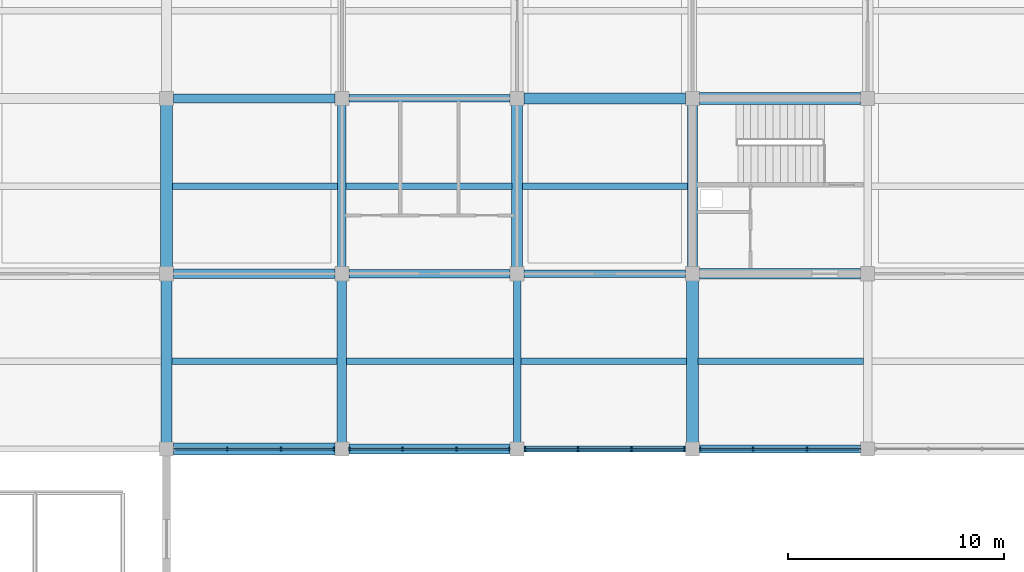
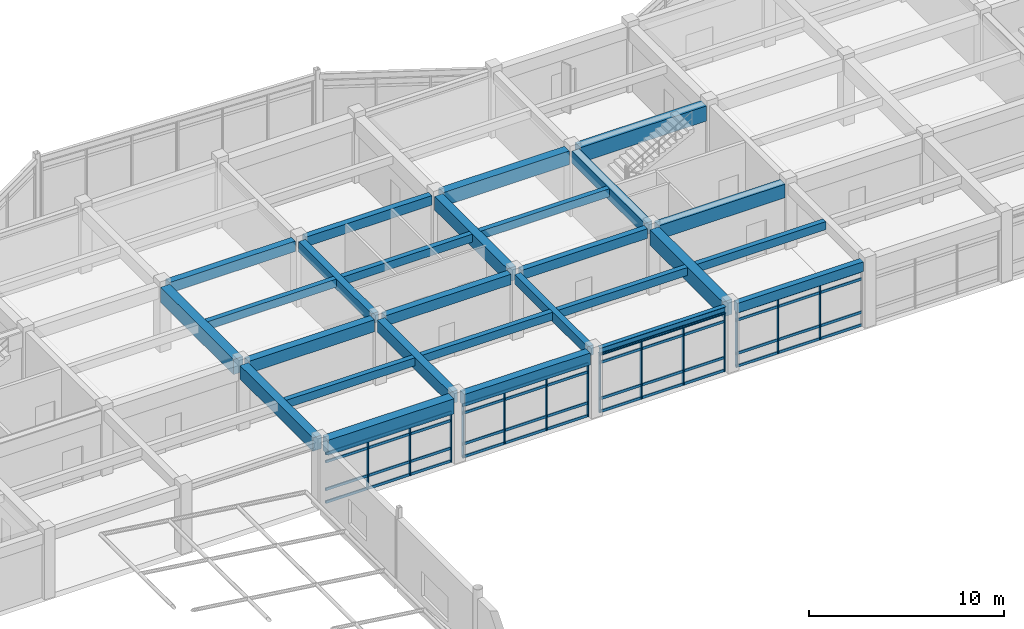
# One storey, part 32 of 89: 30 members, 27 beams, 4 elements without a shape of their own.
"""IFC4 building model written with IfcOpenShell, lengths in metres."""

from ifc_helpers import new_model, si_unit, direction, frame, origin, origin_2d, place, context, subcontext, project, spatial, rectangle, i_section, extrude, material, layer, layer_set, material_profile, profile_set, type_object, element, aggregate, save


model = new_model("IFC4")

# Units and contexts
model_context = context("Model", 3, precision=1e-05, world=origin(), true_north=direction((0.0, 1.0)))
body_context = subcontext(model_context, "Body", "Model", "MODEL_VIEW")
ifc_project = project(units=[si_unit("LENGTHUNIT", "METRE"), si_unit("AREAUNIT", "SQUARE_METRE"), si_unit("VOLUMEUNIT", "CUBIC_METRE"), si_unit("PLANEANGLEUNIT", "RADIAN"), si_unit("MASSUNIT", "GRAM", prefix="KILO")], contexts=[model_context])

# Site, building, storey
site_placement = place(None, origin())
site = spatial("IfcSite", under=ifc_project, at=site_placement, CompositionType="ELEMENT")
building_placement = place(site_placement, origin())
building = spatial("IfcBuilding", under=site, at=building_placement, Name="Vaudrelin Polytechnic", CompositionType="ELEMENT")
storey_placement = place(building_placement, frame((0.0, 0.0, 9.68994140625)))
storey = spatial("IfcBuildingStorey", under=building, at=storey_placement, Name="L02", CompositionType="ELEMENT", Elevation=9.68994140625)

# Beams
ifc_material_1 = material(Name="Concrete 40 MPa", Category="concrete")
ifc_material_profile_1 = material_profile(ifc_material_1, rectangle(XDim=0.35009765625, YDim=0.60009765625, at=origin_2d()), Name="RC350x600")
ifc_profile_set_1 = profile_set([ifc_material_profile_1], Name="Concrete 40 MPa")
beam_type_1 = type_object("IfcBeamType", Name="BM-BM-RC3560", PredefinedType="BEAM", material=ifc_profile_set_1)
beam_1_placement = place(storey_placement, frame((48.60009765625, 97.510009765625, 3.780029296875), z_axis=(0.0, 1.0, 0.0), x_axis=(-1.0, 0.0, 0.0)))
element("IfcBeam", 1, at=beam_1_placement, inside=storey, type_object=beam_type_1, Name="L02 Y-beam 7-13", PredefinedType="BEAM", context=body_context, shape_type="SweptSolid", body=[
    extrude(rectangle(XDim=0.35009765625, YDim=0.60009765625, at=origin_2d()), origin(), (0.0, 0.0, 1.0), 7.47998046875),
])
for number, where, z_axis, x_axis, name in (
    (2, (40.821044921875, 113.39990234375, 3.780029296875), (1.0, 0.0, 0.0), (0.0, 1.0, 0.0), "L02 X-beam 6-15"),
    (3, (48.9208984375, 105.300048828125, 3.780029296875), (1.0, 0.0, 0.0), (0.0, 1.0, 0.0), "L02 X-beam 7-14"),
    (4, (57.02099609375, 97.199951171875, 3.780029296875), (1.0, 0.0, 0.0), (0.0, 1.0, 0.0), "L02 X-beam 8-13"),
):
    element("IfcBeam", number, at=place(storey_placement, frame(where, z_axis=z_axis, x_axis=x_axis)), inside=storey, type_object=beam_type_1, Name=name, PredefinedType="BEAM", context=body_context, shape_type="SweptSolid", body=[
        extrude(rectangle(XDim=0.35009765625, YDim=0.60009765625, at=origin_2d()), origin(), (0.0, 0.0, 1.0), 7.4580078125),
    ])
ifc_material_profile_2 = material_profile(ifc_material_1, rectangle(XDim=0.39990234375, YDim=0.64990234375, at=origin_2d()), Name="RC400x650")
ifc_profile_set_2 = profile_set([ifc_material_profile_2], Name="Concrete 40 MPa")
beam_type_2 = type_object("IfcBeamType", Name="BM-BM-RC4065", PredefinedType="BEAM", material=ifc_profile_set_2)
beam_2_placement = place(storey_placement, frame((40.5, 105.610107421875, 3.755126953125), z_axis=(0.0, 1.0, 0.0), x_axis=(-1.0, 0.0, 0.0)))
element("IfcBeam", 5, at=beam_2_placement, inside=storey, type_object=beam_type_2, Name="L02 Y-beam 6-14", PredefinedType="BEAM", context=body_context, shape_type="SweptSolid", body=[
    extrude(rectangle(XDim=0.39990234375, YDim=0.64990234375, at=origin_2d()), origin(), (0.0, 0.0, 1.0), 7.47998046875),
])
for number, where, z_axis, x_axis, name in (
    (6, (32.720947265625, 113.39990234375, 3.755126953125), (1.0, 0.0, 0.0), (0.0, 1.0, 0.0), "L02 X-beam 5-15"),
    (7, (40.821044921875, 105.300048828125, 3.755126953125), (1.0, 0.0, 0.0), (0.0, 1.0, 0.0), "L02 X-beam 6-14"),
):
    element("IfcBeam", number, at=place(storey_placement, frame(where, z_axis=z_axis, x_axis=x_axis)), inside=storey, type_object=beam_type_2, Name=name, PredefinedType="BEAM", context=body_context, shape_type="SweptSolid", body=[
        extrude(rectangle(XDim=0.39990234375, YDim=0.64990234375, at=origin_2d()), origin(), (0.0, 0.0, 1.0), 7.4580078125),
    ])
ifc_material_profile_3 = material_profile(ifc_material_1, rectangle(XDim=0.449951171875, YDim=0.75, at=origin_2d()), Name="RC450x750")
ifc_profile_set_3 = profile_set([ifc_material_profile_3], Name="Concrete 40 MPa")
beam_type_3 = type_object("IfcBeamType", Name="BM-BM-RC4575", PredefinedType="BEAM", material=ifc_profile_set_3)
for number, where, z_axis, x_axis, name in (
    (8, (40.5, 97.510009765625, 3.705078125), (0.0, 1.0, 0.0), (-1.0, 0.0, 0.0), "L02 Y-beam 6-13"),
    (9, (56.699951171875, 105.610107421875, 3.705078125), (0.0, 1.0, 0.0), (-1.0, 0.0, 0.0), "L02 Y-beam 8-14"),
):
    element("IfcBeam", number, at=place(storey_placement, frame(where, z_axis=z_axis, x_axis=x_axis)), inside=storey, type_object=beam_type_3, Name=name, PredefinedType="BEAM", context=body_context, shape_type="SweptSolid", body=[
        extrude(rectangle(XDim=0.449951171875, YDim=0.75, at=origin_2d()), origin(), (0.0, 0.0, 1.0), 7.47998046875),
    ])
for number, where, z_axis, x_axis, name in (
    (10, (32.720947265625, 105.300048828125, 3.705078125), (1.0, 0.0, 0.0), (0.0, 1.0, 0.0), "L02 X-beam 5-14"),
    (11, (40.821044921875, 97.199951171875, 3.705078125), (1.0, 0.0, 0.0), (0.0, 1.0, 0.0), "L02 X-beam 6-13"),
):
    element("IfcBeam", number, at=place(storey_placement, frame(where, z_axis=z_axis, x_axis=x_axis)), inside=storey, type_object=beam_type_3, Name=name, PredefinedType="BEAM", context=body_context, shape_type="SweptSolid", body=[
        extrude(rectangle(XDim=0.449951171875, YDim=0.75, at=origin_2d()), origin(), (0.0, 0.0, 1.0), 7.4580078125),
    ])
ifc_material_profile_4 = material_profile(ifc_material_1, rectangle(XDim=0.5, YDim=0.85009765625, at=origin_2d()), Name="RC500x850")
ifc_profile_set_4 = profile_set([ifc_material_profile_4], Name="Concrete 40 MPa")
beam_type_4 = type_object("IfcBeamType", Name="BM-BM-RC5085", PredefinedType="BEAM", material=ifc_profile_set_4)
for number, where, z_axis, x_axis, name in (
    (12, (32.39990234375, 97.510009765625, 3.655029296875), (0.0, 1.0, 0.0), (-1.0, 0.0, 0.0), "L02 Y-beam 5-13"),
    (13, (48.60009765625, 105.610107421875, 3.655029296875), (0.0, 1.0, 0.0), (-1.0, 0.0, 0.0), "L02 Y-beam 7-14"),
):
    element("IfcBeam", number, at=place(storey_placement, frame(where, z_axis=z_axis, x_axis=x_axis)), inside=storey, type_object=beam_type_4, Name=name, PredefinedType="BEAM", context=body_context, shape_type="SweptSolid", body=[
        extrude(rectangle(XDim=0.5, YDim=0.85009765625, at=origin_2d()), origin(), (0.0, 0.0, 1.0), 7.47998046875),
    ])
for number, where, z_axis, x_axis, name in (
    (14, (48.9208984375, 113.39990234375, 3.655029296875), (1.0, 0.0, 0.0), (0.0, 1.0, 0.0), "L02 X-beam 7-15"),
    (15, (57.02099609375, 105.300048828125, 3.655029296875), (1.0, 0.0, 0.0), (0.0, 1.0, 0.0), "L02 X-beam 8-14"),
):
    element("IfcBeam", number, at=place(storey_placement, frame(where, z_axis=z_axis, x_axis=x_axis)), inside=storey, type_object=beam_type_4, Name=name, PredefinedType="BEAM", context=body_context, shape_type="SweptSolid", body=[
        extrude(rectangle(XDim=0.5, YDim=0.85009765625, at=origin_2d()), origin(), (0.0, 0.0, 1.0), 7.4580078125),
    ])
ifc_material_2 = material(Name="Concrete 50 MPa", Category="concrete")
ifc_material_profile_5 = material_profile(ifc_material_2, rectangle(XDim=0.550048828125, YDim=0.949951171875, at=origin_2d()), Name="RC550x950")
ifc_profile_set_5 = profile_set([ifc_material_profile_5], Name="Concrete 50 MPa")
beam_type_5 = type_object("IfcBeamType", Name="BM-BM-RC5595", PredefinedType="BEAM", material=ifc_profile_set_5)
for number, where, z_axis, x_axis, name in (
    (16, (32.39990234375, 105.610107421875, 3.60498046875), (0.0, 1.0, 0.0), (-1.0, 0.0, 0.0), "L02 Y-beam 5-14"),
    (17, (56.699951171875, 97.510009765625, 3.60498046875), (0.0, 1.0, 0.0), (-1.0, 0.0, 0.0), "L02 Y-beam 8-13"),
):
    element("IfcBeam", number, at=place(storey_placement, frame(where, z_axis=z_axis, x_axis=x_axis)), inside=storey, type_object=beam_type_5, Name=name, PredefinedType="BEAM", context=body_context, shape_type="SweptSolid", body=[
        extrude(rectangle(XDim=0.550048828125, YDim=0.949951171875, at=origin_2d()), origin(), (0.0, 0.0, 1.0), 7.47998046875),
    ])
for number, where, z_axis, x_axis, name in (
    (18, (32.720947265625, 97.199951171875, 3.60498046875), (1.0, 0.0, 0.0), (0.0, 1.0, 0.0), "L02 X-beam 5-13"),
    (19, (57.02099609375, 113.39990234375, 3.60498046875), (1.0, 0.0, 0.0), (0.0, 1.0, 0.0), "L02 X-beam 8-15"),
):
    element("IfcBeam", number, at=place(storey_placement, frame(where, z_axis=z_axis, x_axis=x_axis)), inside=storey, type_object=beam_type_5, Name=name, PredefinedType="BEAM", context=body_context, shape_type="SweptSolid", body=[
        extrude(rectangle(XDim=0.550048828125, YDim=0.949951171875, at=origin_2d()), origin(), (0.0, 0.0, 1.0), 7.4580078125),
    ])
ifc_material_3 = material(Name="Steel CSA G40.21 350WT", Category="steel")
ifc_material_profile_6 = material_profile(ifc_material_3, i_section(OverallWidth=0.260009765625, OverallDepth=0.4150390625, WebThickness=0.010009765625, FlangeThickness=0.016845703125, FilletRadius=0.01611328125, at=origin_2d()), Name="W410x100")
ifc_profile_set_6 = profile_set([ifc_material_profile_6], Name="Steel CSA G40.21 350WT")
beam_type_6 = type_object("IfcBeamType", Name="BM-BM-W410H", PredefinedType="SPANDREL", material=ifc_profile_set_6)
beam_3_placement = place(storey_placement, frame((48.9208984375, 97.199951171875, 3.87255859375), z_axis=(1.0, 0.0, 0.0), x_axis=(0.0, 1.0, 0.0)))
element("IfcBeam", 20, at=beam_3_placement, inside=storey, type_object=beam_type_6, Name="L02 X-beam 7-13", PredefinedType="SPANDREL", context=body_context, shape_type="SweptSolid", body=[
    extrude(i_section(OverallWidth=0.260009765625, OverallDepth=0.4150390625, WebThickness=0.010009765625, FlangeThickness=0.016845703125, FilletRadius=0.01611328125, at=origin_2d()), origin(), (0.0, 0.0, 1.0), 7.4580078125),
])
ifc_material_profile_7 = material_profile(ifc_material_1, rectangle(XDim=0.300048828125, YDim=0.5, at=origin_2d()), Name="RC300x500")
ifc_profile_set_7 = profile_set([ifc_material_profile_7], Name="Concrete 40 MPa")
beam_type_7 = type_object("IfcBeamType", Name="BM-JS-RC3050", PredefinedType="JOIST", material=ifc_profile_set_7)
for number, where, z_axis, x_axis, name in (
    (21, (32.64599609375, 101.25, 3.830078125), (1.0, 0.0, 0.0), (0.0, 1.0, 0.0), "L02 floor joist 5-13"),
    (22, (32.6708984375, 109.35009765625, 3.830078125), (1.0, 0.0, 0.0), (0.0, 1.0, 0.0), "L02 floor joist 5-14"),
):
    element("IfcBeam", number, at=place(storey_placement, frame(where, z_axis=z_axis, x_axis=x_axis)), inside=storey, type_object=beam_type_7, Name=name, PredefinedType="JOIST", context=body_context, shape_type="SweptSolid", body=[
        extrude(rectangle(XDim=0.300048828125, YDim=0.5, at=origin_2d()), origin(), (0.0, 0.0, 1.0), 7.633056640625),
    ])
beam_4_placement = place(storey_placement, frame((40.720947265625, 101.25, 3.830078125), z_axis=(1.0, 0.0, 0.0), x_axis=(0.0, 1.0, 0.0)))
element("IfcBeam", 23, at=beam_4_placement, inside=storey, type_object=beam_type_7, Name="L02 floor joist 6-13", PredefinedType="JOIST", context=body_context, shape_type="SweptSolid", body=[
    extrude(rectangle(XDim=0.300048828125, YDim=0.5, at=origin_2d()), origin(), (0.0, 0.0, 1.0), 7.7080078125),
])
for number, where, z_axis, x_axis, name in (
    (24, (40.696044921875, 109.35009765625, 3.830078125), (1.0, 0.0, 0.0), (0.0, 1.0, 0.0), "L02 floor joist 6-14"),
    (25, (48.77099609375, 101.25, 3.830078125), (1.0, 0.0, 0.0), (0.0, 1.0, 0.0), "L02 floor joist 7-13"),
):
    element("IfcBeam", number, at=place(storey_placement, frame(where, z_axis=z_axis, x_axis=x_axis)), inside=storey, type_object=beam_type_7, Name=name, PredefinedType="JOIST", context=body_context, shape_type="SweptSolid", body=[
        extrude(rectangle(XDim=0.300048828125, YDim=0.5, at=origin_2d()), origin(), (0.0, 0.0, 1.0), 7.657958984375),
    ])
for number, where, z_axis, x_axis, name in (
    (26, (48.845947265625, 109.35009765625, 3.830078125), (1.0, 0.0, 0.0), (0.0, 1.0, 0.0), "L02 floor joist 7-14"),
    (27, (56.970947265625, 101.25, 3.830078125), (1.0, 0.0, 0.0), (0.0, 1.0, 0.0), "L02 floor joist 8-13"),
):
    element("IfcBeam", number, at=place(storey_placement, frame(where, z_axis=z_axis, x_axis=x_axis)), inside=storey, type_object=beam_type_7, Name=name, PredefinedType="JOIST", context=body_context, shape_type="SweptSolid", body=[
        extrude(rectangle(XDim=0.300048828125, YDim=0.5, at=origin_2d()), origin(), (0.0, 0.0, 1.0), 7.633056640625),
    ])

# Curtain wall, members
ifc_material_4 = material(Name="Thermally broken anodised aluminium AA 6063-T6 and low-e triple glazing", Category="aluminium")
ifc_layer = layer(ifc_material_4, 0.199951171875)
ifc_layer_set = layer_set([ifc_layer], Name="Thermally broken anodised aluminium AA 6063-T6 and low-e triple glazing")
curtain_wall_type = type_object("IfcCurtainWallType", Name="CW-CW-LIB", PredefinedType="USERDEFINED", material=ifc_layer_set)
curtain_wall_1_placement = place(storey_placement, origin())
curtain_wall_1 = element("IfcCurtainWall", 28, at=curtain_wall_1_placement, inside=storey, type_object=curtain_wall_type, Name="Curtain wall L02 CT_N_00", ObjectType="CURTAIN WALL", PredefinedType="USERDEFINED")
ifc_material_5 = material(Name="Anodised aluminium AA 6063-T6", Category="aluminium")
ifc_material_profile_8 = material_profile(ifc_material_5, rectangle(XDim=0.06494140625, YDim=0.179931640625, at=origin_2d()), Name="CWM-65x180")
ifc_profile_set_8 = profile_set([ifc_material_profile_8], Name="Anodised aluminium AA 6063-T6")
member_type_1 = type_object("IfcMemberType", Name="MEM-CWM-180", PredefinedType="MULLION", material=ifc_profile_set_8)
member_1_placement = place(storey_placement, frame((35.207763671875, 97.199951171875, 0.0), z_axis=(0.0, 0.0, 1.0), x_axis=(1.0, 0.0, 0.0)))
member_1 = element("IfcMember", 29, at=member_1_placement, type_object=member_type_1, Name="CT_N_00 mullion 2", PredefinedType="MULLION", context=body_context, shape_type="SweptSolid", body=[
    extrude(rectangle(XDim=0.06494140625, YDim=0.179931640625, at=origin_2d()), origin(), (0.0, 0.0, 1.0), 3.132080078125),
])
member_2_placement = place(storey_placement, frame((37.6923828125, 97.199951171875, 0.0), z_axis=(0.0, 0.0, 1.0), x_axis=(1.0, 0.0, 0.0)))
member_2 = element("IfcMember", 30, at=member_2_placement, type_object=member_type_1, Name="CT_N_00 mullion 3", PredefinedType="MULLION", context=body_context, shape_type="SweptSolid", body=[
    extrude(rectangle(XDim=0.06494140625, YDim=0.179931640625, at=origin_2d()), origin(), (0.0, 0.0, 1.0), 3.132080078125),
])
member_3_placement = place(storey_placement, frame((40.136962890625, 97.199951171875, 0.0), z_axis=(0.0, 0.0, 1.0), x_axis=(1.0, 0.0, 0.0)))
member_3 = element("IfcMember", 31, at=member_3_placement, type_object=member_type_1, Name="CT_N_00 mullion 4", PredefinedType="MULLION", context=body_context, shape_type="SweptSolid", body=[
    extrude(rectangle(XDim=0.06494140625, YDim=0.179931640625, at=origin_2d()), origin(), (0.0, 0.0, 1.0), 3.132080078125),
])

curtain_wall_2_placement = place(storey_placement, origin())
curtain_wall_2 = element("IfcCurtainWall", 32, at=curtain_wall_2_placement, inside=storey, type_object=curtain_wall_type, Name="Curtain wall L02 CT_N_01", ObjectType="CURTAIN WALL", PredefinedType="USERDEFINED")
member_4_placement = place(storey_placement, frame((40.863037109375, 97.199951171875, 0.0), z_axis=(0.0, 0.0, 1.0), x_axis=(1.0, 0.0, 0.0)))
member_4 = element("IfcMember", 33, at=member_4_placement, type_object=member_type_1, Name="CT_N_01 mullion 1", PredefinedType="MULLION", context=body_context, shape_type="SweptSolid", body=[
    extrude(rectangle(XDim=0.06494140625, YDim=0.179931640625, at=origin_2d()), origin(), (0.0, 0.0, 1.0), 3.33203125),
])
member_5_placement = place(storey_placement, frame((43.3076171875, 97.199951171875, 0.0), z_axis=(0.0, 0.0, 1.0), x_axis=(1.0, 0.0, 0.0)))
member_5 = element("IfcMember", 34, at=member_5_placement, type_object=member_type_1, Name="CT_N_01 mullion 2", PredefinedType="MULLION", context=body_context, shape_type="SweptSolid", body=[
    extrude(rectangle(XDim=0.06494140625, YDim=0.179931640625, at=origin_2d()), origin(), (0.0, 0.0, 1.0), 3.33203125),
])
member_6_placement = place(storey_placement, frame((45.792236328125, 97.199951171875, 0.0), z_axis=(0.0, 0.0, 1.0), x_axis=(1.0, 0.0, 0.0)))
member_6 = element("IfcMember", 35, at=member_6_placement, type_object=member_type_1, Name="CT_N_01 mullion 3", PredefinedType="MULLION", context=body_context, shape_type="SweptSolid", body=[
    extrude(rectangle(XDim=0.06494140625, YDim=0.179931640625, at=origin_2d()), origin(), (0.0, 0.0, 1.0), 3.33203125),
])
member_7_placement = place(storey_placement, frame((48.237060546875, 97.199951171875, 0.0), z_axis=(0.0, 0.0, 1.0), x_axis=(1.0, 0.0, 0.0)))
member_7 = element("IfcMember", 36, at=member_7_placement, type_object=member_type_1, Name="CT_N_01 mullion 4", PredefinedType="MULLION", context=body_context, shape_type="SweptSolid", body=[
    extrude(rectangle(XDim=0.06494140625, YDim=0.179931640625, at=origin_2d()), origin(), (0.0, 0.0, 1.0), 3.33203125),
])

curtain_wall_3_placement = place(storey_placement, origin())
curtain_wall_3 = element("IfcCurtainWall", 37, at=curtain_wall_3_placement, inside=storey, type_object=curtain_wall_type, Name="Curtain wall L02 CT_N_02", ObjectType="CURTAIN WALL", PredefinedType="USERDEFINED")
member_8_placement = place(storey_placement, frame((48.962890625, 97.199951171875, 0.0), z_axis=(0.0, 0.0, 1.0), x_axis=(1.0, 0.0, 0.0)))
member_8 = element("IfcMember", 38, at=member_8_placement, type_object=member_type_1, Name="CT_N_02 mullion 1", PredefinedType="MULLION", context=body_context, shape_type="SweptSolid", body=[
    extrude(rectangle(XDim=0.06494140625, YDim=0.179931640625, at=origin_2d()), origin(), (0.0, 0.0, 1.0), 3.6669921875),
])
member_9_placement = place(storey_placement, frame((51.40771484375, 97.199951171875, 0.0), z_axis=(0.0, 0.0, 1.0), x_axis=(1.0, 0.0, 0.0)))
member_9 = element("IfcMember", 39, at=member_9_placement, type_object=member_type_1, Name="CT_N_02 mullion 2", PredefinedType="MULLION", context=body_context, shape_type="SweptSolid", body=[
    extrude(rectangle(XDim=0.06494140625, YDim=0.179931640625, at=origin_2d()), origin(), (0.0, 0.0, 1.0), 3.6669921875),
])
member_10_placement = place(storey_placement, frame((53.892333984375, 97.199951171875, 0.0), z_axis=(0.0, 0.0, 1.0), x_axis=(1.0, 0.0, 0.0)))
member_10 = element("IfcMember", 40, at=member_10_placement, type_object=member_type_1, Name="CT_N_02 mullion 3", PredefinedType="MULLION", context=body_context, shape_type="SweptSolid", body=[
    extrude(rectangle(XDim=0.06494140625, YDim=0.179931640625, at=origin_2d()), origin(), (0.0, 0.0, 1.0), 3.6669921875),
])
member_11_placement = place(storey_placement, frame((56.3369140625, 97.199951171875, 0.0), z_axis=(0.0, 0.0, 1.0), x_axis=(1.0, 0.0, 0.0)))
member_11 = element("IfcMember", 41, at=member_11_placement, type_object=member_type_1, Name="CT_N_02 mullion 4", PredefinedType="MULLION", context=body_context, shape_type="SweptSolid", body=[
    extrude(rectangle(XDim=0.06494140625, YDim=0.179931640625, at=origin_2d()), origin(), (0.0, 0.0, 1.0), 3.6669921875),
])

curtain_wall_4_placement = place(storey_placement, origin())
curtain_wall_4 = element("IfcCurtainWall", 42, at=curtain_wall_4_placement, inside=storey, type_object=curtain_wall_type, Name="Curtain wall L02 CT_N_03", ObjectType="CURTAIN WALL", PredefinedType="USERDEFINED")
member_12_placement = place(storey_placement, frame((57.06298828125, 97.199951171875, 0.0), z_axis=(0.0, 0.0, 1.0), x_axis=(1.0, 0.0, 0.0)))
member_12 = element("IfcMember", 43, at=member_12_placement, type_object=member_type_1, Name="CT_N_03 mullion 1", PredefinedType="MULLION", context=body_context, shape_type="SweptSolid", body=[
    extrude(rectangle(XDim=0.06494140625, YDim=0.179931640625, at=origin_2d()), origin(), (0.0, 0.0, 1.0), 3.482177734375),
])
member_13_placement = place(storey_placement, frame((59.5078125, 97.199951171875, 0.0), z_axis=(0.0, 0.0, 1.0), x_axis=(1.0, 0.0, 0.0)))
member_13 = element("IfcMember", 44, at=member_13_placement, type_object=member_type_1, Name="CT_N_03 mullion 2", PredefinedType="MULLION", context=body_context, shape_type="SweptSolid", body=[
    extrude(rectangle(XDim=0.06494140625, YDim=0.179931640625, at=origin_2d()), origin(), (0.0, 0.0, 1.0), 3.482177734375),
])
member_14_placement = place(storey_placement, frame((61.9921875, 97.199951171875, 0.0), z_axis=(0.0, 0.0, 1.0), x_axis=(1.0, 0.0, 0.0)))
member_14 = element("IfcMember", 45, at=member_14_placement, type_object=member_type_1, Name="CT_N_03 mullion 3", PredefinedType="MULLION", context=body_context, shape_type="SweptSolid", body=[
    extrude(rectangle(XDim=0.06494140625, YDim=0.179931640625, at=origin_2d()), origin(), (0.0, 0.0, 1.0), 3.482177734375),
])

# Member
ifc_material_profile_9 = material_profile(ifc_material_5, rectangle(XDim=0.074951171875, YDim=0.1650390625, at=origin_2d()), Name="CWT-75x165")
ifc_profile_set_9 = profile_set([ifc_material_profile_9], Name="Anodised aluminium AA 6063-T6")
member_type_2 = type_object("IfcMemberType", Name="MEM-CWT-165", PredefinedType="USERDEFINED", material=ifc_profile_set_9)
member_15_placement = place(storey_placement, frame((32.722900390625, 97.199951171875, 0.050048828125), z_axis=(1.0, 0.0, 0.0), x_axis=(0.0, 1.0, 0.0)))
member_15 = element("IfcMember", 46, at=member_15_placement, type_object=member_type_2, Name="CT_N_00 transom 1", ObjectType="TRANSOM", PredefinedType="USERDEFINED", context=body_context, shape_type="SweptSolid", body=[
    extrude(rectangle(XDim=0.074951171875, YDim=0.1650390625, at=origin_2d()), origin(), (0.0, 0.0, 1.0), 7.4541015625),
])

member_16_placement = place(storey_placement, frame((32.722900390625, 97.199951171875, 0.85009765625), z_axis=(1.0, 0.0, 0.0), x_axis=(0.0, 1.0, 0.0)))
member_16 = element("IfcMember", 47, at=member_16_placement, type_object=member_type_2, Name="CT_N_00 transom 2", ObjectType="TRANSOM", PredefinedType="USERDEFINED", context=body_context, shape_type="SweptSolid", body=[
    extrude(rectangle(XDim=0.074951171875, YDim=0.1650390625, at=origin_2d()), origin(), (0.0, 0.0, 1.0), 7.4541015625),
])

member_17_placement = place(storey_placement, frame((32.722900390625, 97.199951171875, 2.58203125), z_axis=(1.0, 0.0, 0.0), x_axis=(0.0, 1.0, 0.0)))
member_17 = element("IfcMember", 48, at=member_17_placement, type_object=member_type_2, Name="CT_N_00 transom 3", ObjectType="TRANSOM", PredefinedType="USERDEFINED", context=body_context, shape_type="SweptSolid", body=[
    extrude(rectangle(XDim=0.074951171875, YDim=0.1650390625, at=origin_2d()), origin(), (0.0, 0.0, 1.0), 7.4541015625),
])

member_18_placement = place(storey_placement, frame((32.722900390625, 97.199951171875, 3.08203125), z_axis=(1.0, 0.0, 0.0), x_axis=(0.0, 1.0, 0.0)))
member_18 = element("IfcMember", 49, at=member_18_placement, type_object=member_type_2, Name="CT_N_00 transom 4", ObjectType="TRANSOM", PredefinedType="USERDEFINED", context=body_context, shape_type="SweptSolid", body=[
    extrude(rectangle(XDim=0.074951171875, YDim=0.1650390625, at=origin_2d()), origin(), (0.0, 0.0, 1.0), 7.4541015625),
])

aggregate(curtain_wall_1, [member_1, member_2, member_3, member_15, member_16, member_17, member_18])

member_19_placement = place(storey_placement, frame((40.822998046875, 97.199951171875, 0.050048828125), z_axis=(1.0, 0.0, 0.0), x_axis=(0.0, 1.0, 0.0)))
member_19 = element("IfcMember", 50, at=member_19_placement, type_object=member_type_2, Name="CT_N_01 transom 1", ObjectType="TRANSOM", PredefinedType="USERDEFINED", context=body_context, shape_type="SweptSolid", body=[
    extrude(rectangle(XDim=0.074951171875, YDim=0.1650390625, at=origin_2d()), origin(), (0.0, 0.0, 1.0), 7.4541015625),
])

member_20_placement = place(storey_placement, frame((40.822998046875, 97.199951171875, 0.85009765625), z_axis=(1.0, 0.0, 0.0), x_axis=(0.0, 1.0, 0.0)))
member_20 = element("IfcMember", 51, at=member_20_placement, type_object=member_type_2, Name="CT_N_01 transom 2", ObjectType="TRANSOM", PredefinedType="USERDEFINED", context=body_context, shape_type="SweptSolid", body=[
    extrude(rectangle(XDim=0.074951171875, YDim=0.1650390625, at=origin_2d()), origin(), (0.0, 0.0, 1.0), 7.4541015625),
])

member_21_placement = place(storey_placement, frame((40.822998046875, 97.199951171875, 2.781982421875), z_axis=(1.0, 0.0, 0.0), x_axis=(0.0, 1.0, 0.0)))
member_21 = element("IfcMember", 52, at=member_21_placement, type_object=member_type_2, Name="CT_N_01 transom 3", ObjectType="TRANSOM", PredefinedType="USERDEFINED", context=body_context, shape_type="SweptSolid", body=[
    extrude(rectangle(XDim=0.074951171875, YDim=0.1650390625, at=origin_2d()), origin(), (0.0, 0.0, 1.0), 7.4541015625),
])

member_22_placement = place(storey_placement, frame((40.822998046875, 97.199951171875, 3.281982421875), z_axis=(1.0, 0.0, 0.0), x_axis=(0.0, 1.0, 0.0)))
member_22 = element("IfcMember", 53, at=member_22_placement, type_object=member_type_2, Name="CT_N_01 transom 4", ObjectType="TRANSOM", PredefinedType="USERDEFINED", context=body_context, shape_type="SweptSolid", body=[
    extrude(rectangle(XDim=0.074951171875, YDim=0.1650390625, at=origin_2d()), origin(), (0.0, 0.0, 1.0), 7.4541015625),
])

aggregate(curtain_wall_2, [member_4, member_5, member_6, member_7, member_19, member_20, member_21, member_22])

member_23_placement = place(storey_placement, frame((48.923095703125, 97.199951171875, 0.050048828125), z_axis=(1.0, 0.0, 0.0), x_axis=(0.0, 1.0, 0.0)))
member_23 = element("IfcMember", 54, at=member_23_placement, type_object=member_type_2, Name="CT_N_02 transom 1", ObjectType="TRANSOM", PredefinedType="USERDEFINED", context=body_context, shape_type="SweptSolid", body=[
    extrude(rectangle(XDim=0.074951171875, YDim=0.1650390625, at=origin_2d()), origin(), (0.0, 0.0, 1.0), 7.453857421875),
])

member_24_placement = place(storey_placement, frame((48.923095703125, 97.199951171875, 0.85009765625), z_axis=(1.0, 0.0, 0.0), x_axis=(0.0, 1.0, 0.0)))
member_24 = element("IfcMember", 55, at=member_24_placement, type_object=member_type_2, Name="CT_N_02 transom 2", ObjectType="TRANSOM", PredefinedType="USERDEFINED", context=body_context, shape_type="SweptSolid", body=[
    extrude(rectangle(XDim=0.074951171875, YDim=0.1650390625, at=origin_2d()), origin(), (0.0, 0.0, 1.0), 7.453857421875),
])

member_25_placement = place(storey_placement, frame((48.923095703125, 97.199951171875, 3.116943359375), z_axis=(1.0, 0.0, 0.0), x_axis=(0.0, 1.0, 0.0)))
member_25 = element("IfcMember", 56, at=member_25_placement, type_object=member_type_2, Name="CT_N_02 transom 3", ObjectType="TRANSOM", PredefinedType="USERDEFINED", context=body_context, shape_type="SweptSolid", body=[
    extrude(rectangle(XDim=0.074951171875, YDim=0.1650390625, at=origin_2d()), origin(), (0.0, 0.0, 1.0), 7.453857421875),
])

member_26_placement = place(storey_placement, frame((48.923095703125, 97.199951171875, 3.616943359375), z_axis=(1.0, 0.0, 0.0), x_axis=(0.0, 1.0, 0.0)))
member_26 = element("IfcMember", 57, at=member_26_placement, type_object=member_type_2, Name="CT_N_02 transom 4", ObjectType="TRANSOM", PredefinedType="USERDEFINED", context=body_context, shape_type="SweptSolid", body=[
    extrude(rectangle(XDim=0.074951171875, YDim=0.1650390625, at=origin_2d()), origin(), (0.0, 0.0, 1.0), 7.453857421875),
])

aggregate(curtain_wall_3, [member_8, member_9, member_10, member_11, member_23, member_24, member_25, member_26])

member_27_placement = place(storey_placement, frame((57.02294921875, 97.199951171875, 0.050048828125), z_axis=(1.0, 0.0, 0.0), x_axis=(0.0, 1.0, 0.0)))
member_27 = element("IfcMember", 58, at=member_27_placement, type_object=member_type_2, Name="CT_N_03 transom 1", ObjectType="TRANSOM", PredefinedType="USERDEFINED", context=body_context, shape_type="SweptSolid", body=[
    extrude(rectangle(XDim=0.074951171875, YDim=0.1650390625, at=origin_2d()), origin(), (0.0, 0.0, 1.0), 7.4541015625),
])

member_28_placement = place(storey_placement, frame((57.02294921875, 97.199951171875, 0.85009765625), z_axis=(1.0, 0.0, 0.0), x_axis=(0.0, 1.0, 0.0)))
member_28 = element("IfcMember", 59, at=member_28_placement, type_object=member_type_2, Name="CT_N_03 transom 2", ObjectType="TRANSOM", PredefinedType="USERDEFINED", context=body_context, shape_type="SweptSolid", body=[
    extrude(rectangle(XDim=0.074951171875, YDim=0.1650390625, at=origin_2d()), origin(), (0.0, 0.0, 1.0), 7.4541015625),
])

member_29_placement = place(storey_placement, frame((57.02294921875, 97.199951171875, 2.93212890625), z_axis=(1.0, 0.0, 0.0), x_axis=(0.0, 1.0, 0.0)))
member_29 = element("IfcMember", 60, at=member_29_placement, type_object=member_type_2, Name="CT_N_03 transom 3", ObjectType="TRANSOM", PredefinedType="USERDEFINED", context=body_context, shape_type="SweptSolid", body=[
    extrude(rectangle(XDim=0.074951171875, YDim=0.1650390625, at=origin_2d()), origin(), (0.0, 0.0, 1.0), 7.4541015625),
])

member_30_placement = place(storey_placement, frame((57.02294921875, 97.199951171875, 3.43212890625), z_axis=(1.0, 0.0, 0.0), x_axis=(0.0, 1.0, 0.0)))
member_30 = element("IfcMember", 61, at=member_30_placement, type_object=member_type_2, Name="CT_N_03 transom 4", ObjectType="TRANSOM", PredefinedType="USERDEFINED", context=body_context, shape_type="SweptSolid", body=[
    extrude(rectangle(XDim=0.074951171875, YDim=0.1650390625, at=origin_2d()), origin(), (0.0, 0.0, 1.0), 7.4541015625),
])

aggregate(curtain_wall_4, [member_12, member_13, member_14, member_27, member_28, member_29, member_30])

save(model, "model.ifc")
